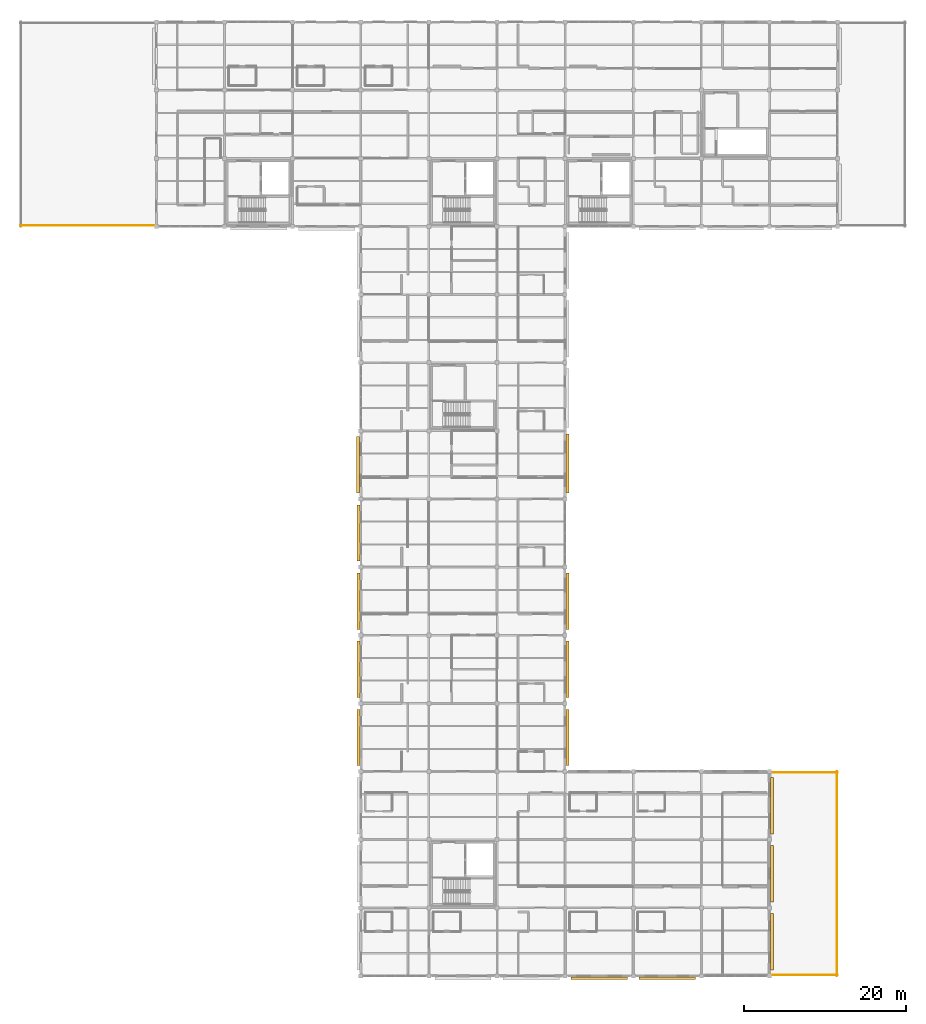
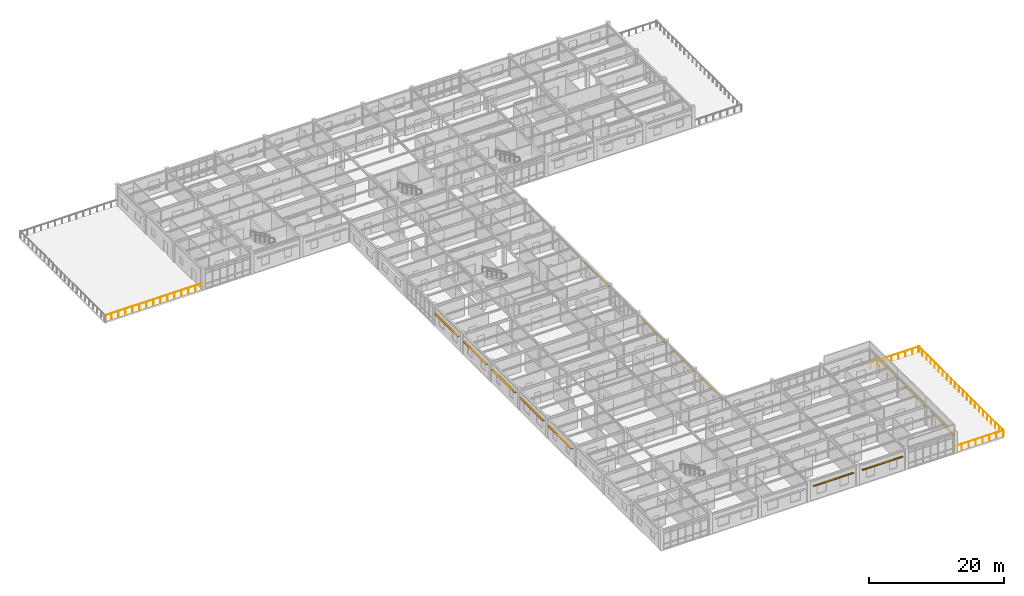
# One storey, part 48 of 53: 14 shading devices, 7 railings.
"""IFC4 building model written with IfcOpenShell, lengths in metres."""

from ifc_helpers import new_model, si_unit, direction, frame, origin, origin_2d, place, context, subcontext, project, spatial, rectangle, circle, extrude, material, material_profile, profile_set, type_object, element, save


model = new_model("IFC4")

# Units and contexts
model_context = context("Model", 3, precision=1e-05, world=origin(), true_north=direction((0.0, 1.0)))
body_context = subcontext(model_context, "Body", "Model", "MODEL_VIEW")
ifc_project = project(units=[si_unit("LENGTHUNIT", "METRE"), si_unit("AREAUNIT", "SQUARE_METRE"), si_unit("VOLUMEUNIT", "CUBIC_METRE"), si_unit("PLANEANGLEUNIT", "RADIAN"), si_unit("MASSUNIT", "GRAM", prefix="KILO")], contexts=[model_context])

# Site, building, storey
site_placement = place(None, origin())
site = spatial("IfcSite", under=ifc_project, at=site_placement, CompositionType="ELEMENT")
building_placement = place(site_placement, origin())
building = spatial("IfcBuilding", under=site, at=building_placement, Name="Bramfleet General Hospital", CompositionType="ELEMENT")
storey_placement = place(building_placement, frame((0.0, 0.0, 26.39990234375)))
storey = spatial("IfcBuildingStorey", under=building, at=storey_placement, Name="L06", CompositionType="ELEMENT", Elevation=26.39990234375)

# Railings
ifc_material_1 = material(Name="Stainless steel 1.4401 safety balustrade", Category="steel")
railing_type = type_object("IfcRailingType", Name="RAIL-EXT-GUARD", PredefinedType="GUARDRAIL", material=ifc_material_1)
railing_1_placement = place(storey_placement, frame((58.7900390625, 92.5, 0.0)))
element("IfcRailing", 1, at=railing_1_placement, inside=storey, type_object=railing_type, Name="L06 Safety Guard Rail 200", PredefinedType="GUARDRAIL", context=body_context, shape_type="SweptSolid", body=[
    extrude(circle(Radius=0.02392578125, at=origin_2d()), frame((0.0, 0.0, 1.076171875), z_axis=(-1.0, 0.0, 0.0), x_axis=(0.0, -1.0, 0.0)), (0.0, 0.0, 1.0), 8.380126953125),
    extrude(circle(Radius=0.02099609375, at=origin_2d()), origin(), (0.0, 0.0, 1.0), 1.052001953125),
    extrude(circle(Radius=0.02099609375, at=origin_2d()), frame((-1.197265625, 0.0, 0.0)), (0.0, 0.0, 1.0), 1.052001953125),
    extrude(circle(Radius=0.02099609375, at=origin_2d()), frame((-2.394287109375, 0.0, 0.0)), (0.0, 0.0, 1.0), 1.052001953125),
    extrude(circle(Radius=0.02099609375, at=origin_2d()), frame((-3.591552734375, 0.0, 0.0)), (0.0, 0.0, 1.0), 1.052001953125),
    extrude(circle(Radius=0.02099609375, at=origin_2d()), frame((-4.78857421875, 0.0, 0.0)), (0.0, 0.0, 1.0), 1.052001953125),
    extrude(circle(Radius=0.02099609375, at=origin_2d()), frame((-5.98583984375, 0.0, 0.0)), (0.0, 0.0, 1.0), 1.052001953125),
    extrude(circle(Radius=0.02099609375, at=origin_2d()), frame((-7.182861328125, 0.0, 0.0)), (0.0, 0.0, 1.0), 1.052001953125),
    extrude(circle(Radius=0.02099609375, at=origin_2d()), frame((-8.380126953125, 0.0, 0.0)), (0.0, 0.0, 1.0), 1.052001953125),
])
railing_2_placement = place(storey_placement, frame((67.18994140625, 92.5, 0.0)))
element("IfcRailing", 2, at=railing_2_placement, inside=storey, type_object=railing_type, Name="L06 Safety Guard Rail 206", PredefinedType="GUARDRAIL", context=body_context, shape_type="SweptSolid", body=[
    extrude(circle(Radius=0.02392578125, at=origin_2d()), frame((0.0, 0.0, 1.076171875), z_axis=(-1.0, 0.0, 0.0), x_axis=(0.0, -1.0, 0.0)), (0.0, 0.0, 1.0), 8.3798828125),
    extrude(circle(Radius=0.02099609375, at=origin_2d()), origin(), (0.0, 0.0, 1.0), 1.052001953125),
    extrude(circle(Radius=0.02099609375, at=origin_2d()), frame((-1.197021484375, 0.0, 0.0)), (0.0, 0.0, 1.0), 1.052001953125),
    extrude(circle(Radius=0.02099609375, at=origin_2d()), frame((-2.394287109375, 0.0, 0.0)), (0.0, 0.0, 1.0), 1.052001953125),
    extrude(circle(Radius=0.02099609375, at=origin_2d()), frame((-3.59130859375, 0.0, 0.0)), (0.0, 0.0, 1.0), 1.052001953125),
    extrude(circle(Radius=0.02099609375, at=origin_2d()), frame((-4.78857421875, 0.0, 0.0)), (0.0, 0.0, 1.0), 1.052001953125),
    extrude(circle(Radius=0.02099609375, at=origin_2d()), frame((-5.985595703125, 0.0, 0.0)), (0.0, 0.0, 1.0), 1.052001953125),
    extrude(circle(Radius=0.02099609375, at=origin_2d()), frame((-7.182861328125, 0.0, 0.0)), (0.0, 0.0, 1.0), 1.052001953125),
    extrude(circle(Radius=0.02099609375, at=origin_2d()), frame((-8.3798828125, 0.0, 0.0)), (0.0, 0.0, 1.0), 1.052001953125),
])
railing_3_placement = place(storey_placement, frame((151.10009765625, 25.18994140625, 0.0)))
element("IfcRailing", 3, at=railing_3_placement, inside=storey, type_object=railing_type, Name="L06 Safety Guard Rail 212", PredefinedType="GUARDRAIL", context=body_context, shape_type="SweptSolid", body=[
    extrude(circle(Radius=0.02392578125, at=origin_2d()), frame((0.0, 0.0, 1.076171875), z_axis=(0.0, -1.0, 0.0), x_axis=(1.0, 0.0, 0.0)), (0.0, 0.0, 1.0), 8.3798828125),
    extrude(circle(Radius=0.02099609375, at=origin_2d()), origin(), (0.0, 0.0, 1.0), 1.052001953125),
    extrude(circle(Radius=0.02099609375, at=origin_2d()), frame((0.0, -1.197021484375, 0.0)), (0.0, 0.0, 1.0), 1.052001953125),
    extrude(circle(Radius=0.02099609375, at=origin_2d()), frame((0.0, -2.394287109375, 0.0)), (0.0, 0.0, 1.0), 1.052001953125),
    extrude(circle(Radius=0.02099609375, at=origin_2d()), frame((0.0, -3.59130859375, 0.0)), (0.0, 0.0, 1.0), 1.052001953125),
    extrude(circle(Radius=0.02099609375, at=origin_2d()), frame((0.0, -4.78857421875, 0.0)), (0.0, 0.0, 1.0), 1.052001953125),
    extrude(circle(Radius=0.02099609375, at=origin_2d()), frame((0.0, -5.985595703125, 0.0)), (0.0, 0.0, 1.0), 1.052001953125),
    extrude(circle(Radius=0.02099609375, at=origin_2d()), frame((0.0, -7.182861328125, 0.0)), (0.0, 0.0, 1.0), 1.052001953125),
    extrude(circle(Radius=0.02099609375, at=origin_2d()), frame((0.0, -8.3798828125, 0.0)), (0.0, 0.0, 1.0), 1.052001953125),
])
railing_4_placement = place(storey_placement, frame((151.10009765625, 16.7900390625, 0.0)))
element("IfcRailing", 4, at=railing_4_placement, inside=storey, type_object=railing_type, Name="L06 Safety Guard Rail 213", PredefinedType="GUARDRAIL", context=body_context, shape_type="SweptSolid", body=[
    extrude(circle(Radius=0.02392578125, at=origin_2d()), frame((0.0, 0.0, 1.076171875), z_axis=(0.0, -1.0, 0.0), x_axis=(1.0, 0.0, 0.0)), (0.0, 0.0, 1.0), 8.380126953125),
    extrude(circle(Radius=0.02099609375, at=origin_2d()), origin(), (0.0, 0.0, 1.0), 1.052001953125),
    extrude(circle(Radius=0.02099609375, at=origin_2d()), frame((0.0, -1.197265625, 0.0)), (0.0, 0.0, 1.0), 1.052001953125),
    extrude(circle(Radius=0.02099609375, at=origin_2d()), frame((0.0, -2.394287109375, 0.0)), (0.0, 0.0, 1.0), 1.052001953125),
    extrude(circle(Radius=0.02099609375, at=origin_2d()), frame((0.0, -3.591552734375, 0.0)), (0.0, 0.0, 1.0), 1.052001953125),
    extrude(circle(Radius=0.02099609375, at=origin_2d()), frame((0.0, -4.78857421875, 0.0)), (0.0, 0.0, 1.0), 1.052001953125),
    extrude(circle(Radius=0.02099609375, at=origin_2d()), frame((0.0, -5.98583984375, 0.0)), (0.0, 0.0, 1.0), 1.052001953125),
    extrude(circle(Radius=0.02099609375, at=origin_2d()), frame((0.0, -7.182861328125, 0.0)), (0.0, 0.0, 1.0), 1.052001953125),
    extrude(circle(Radius=0.02099609375, at=origin_2d()), frame((0.0, -8.380126953125, 0.0)), (0.0, 0.0, 1.0), 1.052001953125),
])
railing_5_placement = place(storey_placement, frame((151.10009765625, 8.389892578125, 0.0)))
element("IfcRailing", 5, at=railing_5_placement, inside=storey, type_object=railing_type, Name="L06 Safety Guard Rail 214", PredefinedType="GUARDRAIL", context=body_context, shape_type="SweptSolid", body=[
    extrude(circle(Radius=0.02392578125, at=origin_2d()), frame((0.0, 0.0, 1.076171875), z_axis=(0.0, -1.0, 0.0), x_axis=(1.0, 0.0, 0.0)), (0.0, 0.0, 1.0), 8.3798828125),
    extrude(circle(Radius=0.02099609375, at=origin_2d()), origin(), (0.0, 0.0, 1.0), 1.052001953125),
    extrude(circle(Radius=0.02099609375, at=origin_2d()), frame((0.0, -1.197021484375, 0.0)), (0.0, 0.0, 1.0), 1.052001953125),
    extrude(circle(Radius=0.02099609375, at=origin_2d()), frame((0.0, -2.394287109375, 0.0)), (0.0, 0.0, 1.0), 1.052001953125),
    extrude(circle(Radius=0.02099609375, at=origin_2d()), frame((0.0, -3.59130859375, 0.0)), (0.0, 0.0, 1.0), 1.052001953125),
    extrude(circle(Radius=0.02099609375, at=origin_2d()), frame((0.0, -4.78857421875, 0.0)), (0.0, 0.0, 1.0), 1.052001953125),
    extrude(circle(Radius=0.02099609375, at=origin_2d()), frame((0.0, -5.985595703125, 0.0)), (0.0, 0.0, 1.0), 1.052001953125),
    extrude(circle(Radius=0.02099609375, at=origin_2d()), frame((0.0, -7.182861328125, 0.0)), (0.0, 0.0, 1.0), 1.052001953125),
    extrude(circle(Radius=0.02099609375, at=origin_2d()), frame((0.0, -8.3798828125, 0.0)), (0.0, 0.0, 1.0), 1.052001953125),
])
railing_6_placement = place(storey_placement, frame((151.18994140625, 0.10009765625, 0.0)))
element("IfcRailing", 6, at=railing_6_placement, inside=storey, type_object=railing_type, Name="L06 Safety Guard Rail 215", PredefinedType="GUARDRAIL", context=body_context, shape_type="SweptSolid", body=[
    extrude(circle(Radius=0.02392578125, at=origin_2d()), frame((0.0, 0.0, 1.076171875), z_axis=(-1.0, 0.0, 0.0), x_axis=(0.0, -1.0, 0.0)), (0.0, 0.0, 1.0), 8.3798828125),
    extrude(circle(Radius=0.02099609375, at=origin_2d()), origin(), (0.0, 0.0, 1.0), 1.052001953125),
    extrude(circle(Radius=0.02099609375, at=origin_2d()), frame((-1.197021484375, 0.0, 0.0)), (0.0, 0.0, 1.0), 1.052001953125),
    extrude(circle(Radius=0.02099609375, at=origin_2d()), frame((-2.394287109375, 0.0, 0.0)), (0.0, 0.0, 1.0), 1.052001953125),
    extrude(circle(Radius=0.02099609375, at=origin_2d()), frame((-3.59130859375, 0.0, 0.0)), (0.0, 0.0, 1.0), 1.052001953125),
    extrude(circle(Radius=0.02099609375, at=origin_2d()), frame((-4.78857421875, 0.0, 0.0)), (0.0, 0.0, 1.0), 1.052001953125),
    extrude(circle(Radius=0.02099609375, at=origin_2d()), frame((-5.985595703125, 0.0, 0.0)), (0.0, 0.0, 1.0), 1.052001953125),
    extrude(circle(Radius=0.02099609375, at=origin_2d()), frame((-7.182861328125, 0.0, 0.0)), (0.0, 0.0, 1.0), 1.052001953125),
    extrude(circle(Radius=0.02099609375, at=origin_2d()), frame((-8.3798828125, 0.0, 0.0)), (0.0, 0.0, 1.0), 1.052001953125),
])
railing_7_placement = place(storey_placement, frame((142.81005859375, 25.10009765625, 0.0)))
element("IfcRailing", 7, at=railing_7_placement, inside=storey, type_object=railing_type, Name="L06 Safety Guard Rail 216", PredefinedType="GUARDRAIL", context=body_context, shape_type="SweptSolid", body=[
    extrude(circle(Radius=0.02392578125, at=origin_2d()), frame((0.0, 0.0, 1.076171875), z_axis=(1.0, 0.0, 0.0), x_axis=(0.0, 1.0, 0.0)), (0.0, 0.0, 1.0), 8.3798828125),
    extrude(circle(Radius=0.02099609375, at=origin_2d()), origin(), (0.0, 0.0, 1.0), 1.052001953125),
    extrude(circle(Radius=0.02099609375, at=origin_2d()), frame((1.197021484375, 0.0, 0.0)), (0.0, 0.0, 1.0), 1.052001953125),
    extrude(circle(Radius=0.02099609375, at=origin_2d()), frame((2.394287109375, 0.0, 0.0)), (0.0, 0.0, 1.0), 1.052001953125),
    extrude(circle(Radius=0.02099609375, at=origin_2d()), frame((3.59130859375, 0.0, 0.0)), (0.0, 0.0, 1.0), 1.052001953125),
    extrude(circle(Radius=0.02099609375, at=origin_2d()), frame((4.78857421875, 0.0, 0.0)), (0.0, 0.0, 1.0), 1.052001953125),
    extrude(circle(Radius=0.02099609375, at=origin_2d()), frame((5.985595703125, 0.0, 0.0)), (0.0, 0.0, 1.0), 1.052001953125),
    extrude(circle(Radius=0.02099609375, at=origin_2d()), frame((7.182861328125, 0.0, 0.0)), (0.0, 0.0, 1.0), 1.052001953125),
    extrude(circle(Radius=0.02099609375, at=origin_2d()), frame((8.3798828125, 0.0, 0.0)), (0.0, 0.0, 1.0), 1.052001953125),
])

# Shading devices
ifc_material_2 = material(Name="Anodised aluminium EN AW-6063", Category="aluminium")
ifc_material_profile = material_profile(ifc_material_2, rectangle(XDim=0.050048828125, YDim=0.35009765625, at=origin_2d()), Name="ALU LOUVRE 350x50")
ifc_profile_set = profile_set([ifc_material_profile], Name="Anodised aluminium EN AW-6063")
shading_device_type = type_object("IfcShadingDeviceType", Name="SHD-LVR-350", PredefinedType="USERDEFINED", material=ifc_profile_set)
for number, where, z_axis, x_axis, name in (
    (8, (92.107421875, 34.324951171875, 2.670166015625), (0.0, 1.0, 0.0), (0.0, 0.0, 1.0), "L06 Solar Shading Louvre 75"),
    (9, (92.114990234375, 42.72509765625, 2.670166015625), (0.0, 1.0, 0.0), (0.0, 0.0, 1.0), "L06 Solar Shading Louvre 76"),
    (10, (92.12255859375, 51.125, 2.670166015625), (0.0, 1.0, 0.0), (0.0, 0.0, 1.0), "L06 Solar Shading Louvre 77"),
):
    element("IfcShadingDevice", number, at=place(storey_placement, frame(where, z_axis=z_axis, x_axis=x_axis)), inside=storey, type_object=shading_device_type, Name=name, ObjectType="Louvre", PredefinedType="USERDEFINED", context=body_context, shape_type="SweptSolid", body=[
        extrude(rectangle(XDim=0.050048828125, YDim=0.35009765625, at=origin_2d()), origin(), (0.0, 0.0, 1.0), 6.949951171875),
    ])
shading_device_1_placement = place(storey_placement, frame((92.072509765625, 59.52490234375, 2.670166015625), z_axis=(0.0, 1.0, 0.0), x_axis=(0.0, 0.0, 1.0)))
element("IfcShadingDevice", 11, at=shading_device_1_placement, inside=storey, type_object=shading_device_type, Name="L06 Solar Shading Louvre 78", ObjectType="Louvre", PredefinedType="USERDEFINED", context=body_context, shape_type="SweptSolid", body=[
    extrude(rectangle(XDim=0.050048828125, YDim=0.35009765625, at=origin_2d()), origin(), (0.0, 0.0, 1.0), 6.9501953125),
])
shading_device_2_placement = place(storey_placement, frame((117.89990234375, 66.800048828125, 2.670166015625), z_axis=(0.0, -1.0, 0.0), x_axis=(0.0, 0.0, 1.0)))
element("IfcShadingDevice", 12, at=shading_device_2_placement, inside=storey, type_object=shading_device_type, Name="L06 Solar Shading Louvre 92", ObjectType="Louvre", PredefinedType="USERDEFINED", context=body_context, shape_type="SweptSolid", body=[
    extrude(rectangle(XDim=0.050048828125, YDim=0.35009765625, at=origin_2d()), origin(), (0.0, 0.0, 1.0), 7.275146484375),
])
for number, where, z_axis, x_axis, name in (
    (13, (117.892578125, 49.675048828125, 2.670166015625), (0.0, -1.0, 0.0), (0.0, 0.0, 1.0), "L06 Solar Shading Louvre 93"),
    (14, (117.885009765625, 41.27490234375, 2.670166015625), (0.0, -1.0, 0.0), (0.0, 0.0, 1.0), "L06 Solar Shading Louvre 94"),
    (15, (117.87744140625, 32.875, 2.670166015625), (0.0, -1.0, 0.0), (0.0, 0.0, 1.0), "L06 Solar Shading Louvre 95"),
):
    element("IfcShadingDevice", number, at=place(storey_placement, frame(where, z_axis=z_axis, x_axis=x_axis)), inside=storey, type_object=shading_device_type, Name=name, ObjectType="Louvre", PredefinedType="USERDEFINED", context=body_context, shape_type="SweptSolid", body=[
        extrude(rectangle(XDim=0.050048828125, YDim=0.35009765625, at=origin_2d()), origin(), (0.0, 0.0, 1.0), 6.949951171875),
    ])
shading_device_3_placement = place(storey_placement, frame((143.107421875, 24.47509765625, 2.670166015625), z_axis=(0.0, -1.0, 0.0), x_axis=(0.0, 0.0, 1.0)))
element("IfcShadingDevice", 16, at=shading_device_3_placement, inside=storey, type_object=shading_device_type, Name="L06 Solar Shading Louvre 96", ObjectType="Louvre", PredefinedType="USERDEFINED", context=body_context, shape_type="SweptSolid", body=[
    extrude(rectangle(XDim=0.050048828125, YDim=0.35009765625, at=origin_2d()), origin(), (0.0, 0.0, 1.0), 6.9501953125),
])
for number, where, z_axis, x_axis, name in (
    (17, (143.10009765625, 16.074951171875, 2.670166015625), (0.0, -1.0, 0.0), (0.0, 0.0, 1.0), "L06 Solar Shading Louvre 97"),
    (18, (143.092529296875, 7.675048828125, 2.670166015625), (0.0, -1.0, 0.0), (0.0, 0.0, 1.0), "L06 Solar Shading Louvre 98"),
    (19, (133.675048828125, -0.284912109375, 2.670166015625), (-1.0, 0.0, 0.0), (0.0, 0.0, 1.0), "L06 Solar Shading Louvre 99"),
    (20, (125.27490234375, -0.277587890625, 2.670166015625), (-1.0, 0.0, 0.0), (0.0, 0.0, 1.0), "L06 Solar Shading Louvre 100"),
    (21, (92.114990234375, 25.925048828125, 2.670166015625), (0.0, 1.0, 0.0), (0.0, 0.0, 1.0), "L06 Solar Shading Louvre 106"),
):
    element("IfcShadingDevice", number, at=place(storey_placement, frame(where, z_axis=z_axis, x_axis=x_axis)), inside=storey, type_object=shading_device_type, Name=name, ObjectType="Louvre", PredefinedType="USERDEFINED", context=body_context, shape_type="SweptSolid", body=[
        extrude(rectangle(XDim=0.050048828125, YDim=0.35009765625, at=origin_2d()), origin(), (0.0, 0.0, 1.0), 6.949951171875),
    ])

save(model, "model.ifc")
